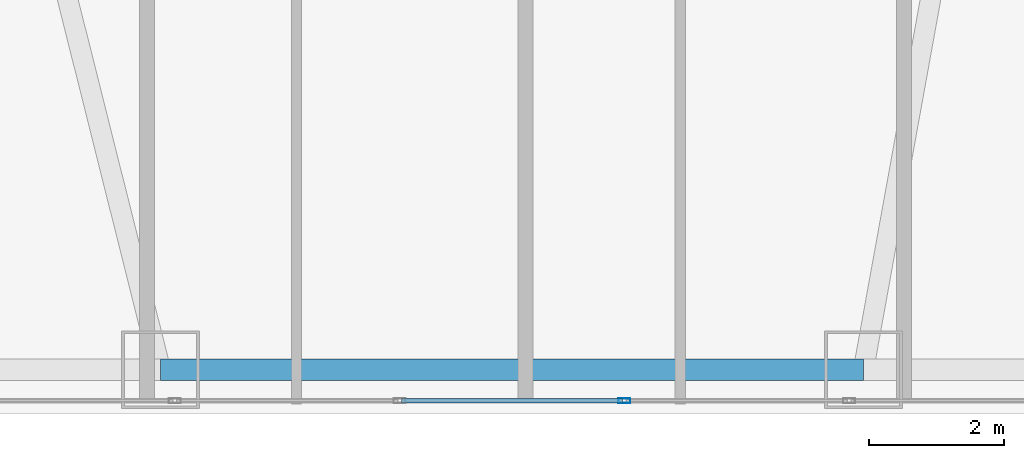
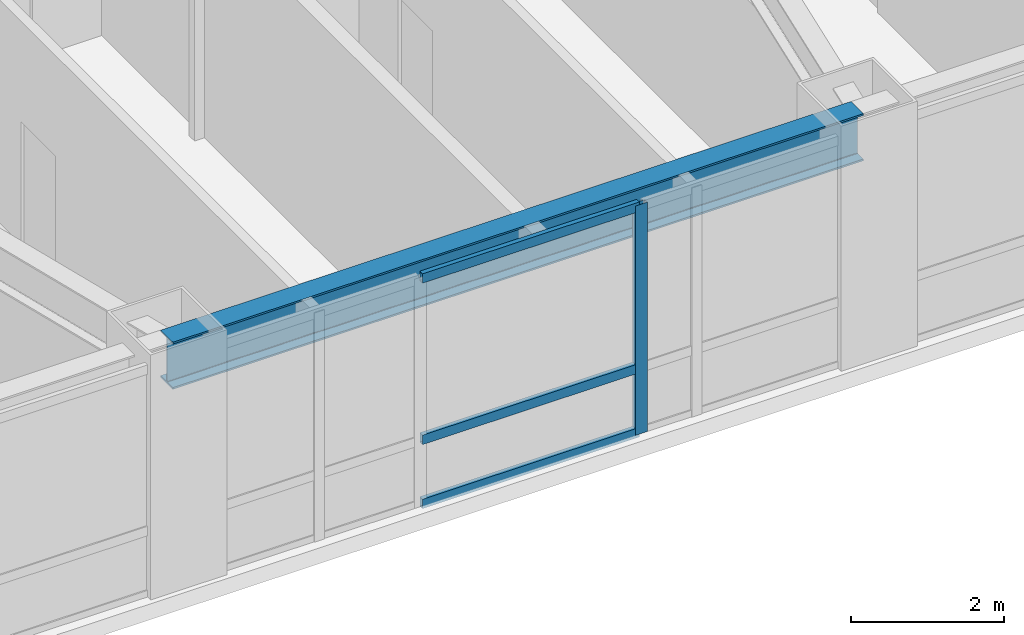
# One storey, part 3 of 28: 4 members, 1 beam, 1 element without a shape of its own.
"""IFC4 building model written with IfcOpenShell, lengths in metres."""

from ifc_helpers import new_model, si_unit, direction, frame, origin, origin_2d, place, context, subcontext, project, spatial, hollow_rectangle, i_section, extrude, material, layer, layer_set, material_profile, profile_set, type_object, element, aggregate, save


model = new_model("IFC4")

# Units and contexts
model_context = context("Model", 3, precision=1e-05, world=origin(), true_north=direction((0.0, 1.0)))
body_context = subcontext(model_context, "Body", "Model", "MODEL_VIEW")
ifc_project = project(units=[si_unit("LENGTHUNIT", "METRE"), si_unit("AREAUNIT", "SQUARE_METRE"), si_unit("VOLUMEUNIT", "CUBIC_METRE"), si_unit("PLANEANGLEUNIT", "RADIAN"), si_unit("MASSUNIT", "GRAM", prefix="KILO")], contexts=[model_context])

# Site, building, storey
site_placement = place(None, origin())
site = spatial("IfcSite", under=ifc_project, at=site_placement, CompositionType="ELEMENT")
building_placement = place(site_placement, origin())
building = spatial("IfcBuilding", under=site, at=building_placement, Name="Voryun Gate Residences", CompositionType="ELEMENT")
storey_placement = place(building_placement, frame((0.0, 0.0, 61.10009765625)))
storey = spatial("IfcBuildingStorey", under=building, at=storey_placement, Name="L14", CompositionType="ELEMENT", Elevation=61.10009765625)

# Beam
ifc_material_1 = material(Name="Steel SM355", Category="steel")
ifc_material_profile_1 = material_profile(ifc_material_1, i_section(OverallWidth=0.320068359375, OverallDepth=0.75, WebThickness=0.01611328125, FlangeThickness=0.028076171875, FilletRadius=0.01806640625, at=origin_2d()), Name="H-750x320x16x28")
ifc_profile_set_1 = profile_set([ifc_material_profile_1], Name="Steel SM355")
beam_type = type_object("IfcBeamType", Name="BM_EXO_SPANDREL_L", PredefinedType="SPANDREL", material=ifc_profile_set_1)
beam_placement = place(storey_placement, frame((-8.800048828125, -21.75, 3.27490234375), z_axis=(1.0, 0.0, 0.0), x_axis=(0.0, 1.0, 0.0)))
element("IfcBeam", 1, at=beam_placement, inside=storey, type_object=beam_type, Name="BM-L14-SPAND-03", PredefinedType="SPANDREL", context=body_context, shape_type="SweptSolid", body=[
    extrude(i_section(OverallWidth=0.320068359375, OverallDepth=0.75, WebThickness=0.01611328125, FlangeThickness=0.028076171875, FilletRadius=0.01806640625, at=origin_2d()), origin(), (0.0, 0.0, 1.0), 10.400146484375),
])

# Curtain wall, members
ifc_material_2 = material(Name="Anodised aluminium", Category="aluminium")
ifc_layer = layer(ifc_material_2, 0.179931640625, Name="CW_SYS_RES_A_DARK_GLASS")
ifc_layer_set = layer_set([ifc_layer], Name="Anodised aluminium")
curtain_wall_type = type_object("IfcCurtainWallType", Name="CW_SYS_RES_A_DARK_GLASS", PredefinedType="NOTDEFINED", material=ifc_layer_set)
curtain_wall_placement = place(storey_placement, origin())
curtain_wall = element("IfcCurtainWall", 2, at=curtain_wall_placement, inside=storey, type_object=curtain_wall_type, Name="Curtain wall CWT-L14-01", PredefinedType="NOTDEFINED")
ifc_material_3 = material(Name="Anodised aluminium", Category="aluminium")
ifc_material_profile_2 = material_profile(ifc_material_3, hollow_rectangle(XDim=0.070068359375, YDim=0.179931640625, WallThickness=0.00390625, at=origin_2d()), Name="ALU-MULL-180x70x4")
ifc_profile_set_2 = profile_set([ifc_material_profile_2], Name="Anodised aluminium")
member_type_1 = type_object("IfcMemberType", Name="CW_MULL_RES", PredefinedType="MULLION", material=ifc_profile_set_2)
member_1_placement = place(storey_placement, frame((-1.937255859375, -22.2099609375, 0.0), z_axis=(0.0, 0.0, 1.0), x_axis=(0.0, -1.0, 0.0)))
member_1 = element("IfcMember", 3, at=member_1_placement, type_object=member_type_1, Name="CW3 mullion 3", PredefinedType="MULLION", context=body_context, shape_type="SweptSolid", body=[
    extrude(hollow_rectangle(XDim=0.070068359375, YDim=0.179931640625, WallThickness=0.00390625, at=origin_2d()), origin(), (0.0, 0.0, 1.0), 3.64990234375),
])
ifc_material_4 = material(Name="Anodised aluminium", Category="aluminium")
ifc_material_profile_3 = material_profile(ifc_material_4, hollow_rectangle(XDim=0.070068359375, YDim=0.14990234375, WallThickness=0.00390625, at=origin_2d()), Name="ALU-TRAN-150x70x4")
ifc_profile_set_3 = profile_set([ifc_material_profile_3], Name="Anodised aluminium")
member_type_2 = type_object("IfcMemberType", Name="CW_TRAN_RES", PredefinedType="USERDEFINED", material=ifc_profile_set_3)
member_2_placement = place(storey_placement, frame((-1.96728515625, -22.2099609375, 0.02978515625), z_axis=(-1.0, 0.0, 0.0), x_axis=(0.0, -1.0, 0.0)))
member_2 = element("IfcMember", 4, at=member_2_placement, type_object=member_type_2, Name="CW3 transom 3.1", ObjectType="TRANSOM", PredefinedType="USERDEFINED", context=body_context, shape_type="SweptSolid", body=[
    extrude(hollow_rectangle(XDim=0.070068359375, YDim=0.14990234375, WallThickness=0.00390625, at=origin_2d()), origin(), (0.0, 0.0, 1.0), 3.265625),
])
member_3_placement = place(storey_placement, frame((-1.96728515625, -22.2099609375, 1.0498046875), z_axis=(-1.0, 0.0, 0.0), x_axis=(0.0, -1.0, 0.0)))
member_3 = element("IfcMember", 5, at=member_3_placement, type_object=member_type_2, Name="CW3 transom 3.2", ObjectType="TRANSOM", PredefinedType="USERDEFINED", context=body_context, shape_type="SweptSolid", body=[
    extrude(hollow_rectangle(XDim=0.070068359375, YDim=0.14990234375, WallThickness=0.00390625, at=origin_2d()), origin(), (0.0, 0.0, 1.0), 3.265625),
])
member_4_placement = place(storey_placement, frame((-1.96728515625, -22.2099609375, 3.619873046875), z_axis=(-1.0, 0.0, 0.0), x_axis=(0.0, -1.0, 0.0)))
member_4 = element("IfcMember", 6, at=member_4_placement, type_object=member_type_2, Name="CW3 transom 3.3", ObjectType="TRANSOM", PredefinedType="USERDEFINED", context=body_context, shape_type="SweptSolid", body=[
    extrude(hollow_rectangle(XDim=0.070068359375, YDim=0.14990234375, WallThickness=0.00390625, at=origin_2d()), origin(), (0.0, 0.0, 1.0), 3.265625),
])
aggregate(curtain_wall, [member_1, member_2, member_3, member_4])

save(model, "model.ifc")
